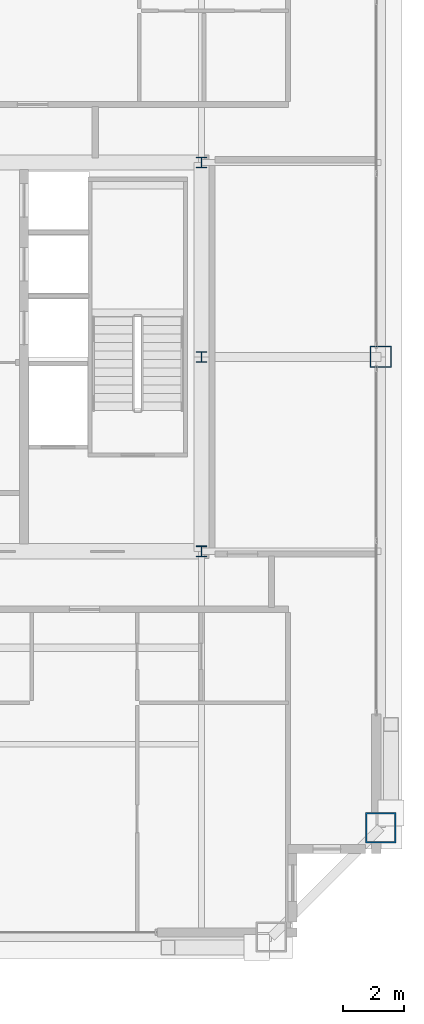
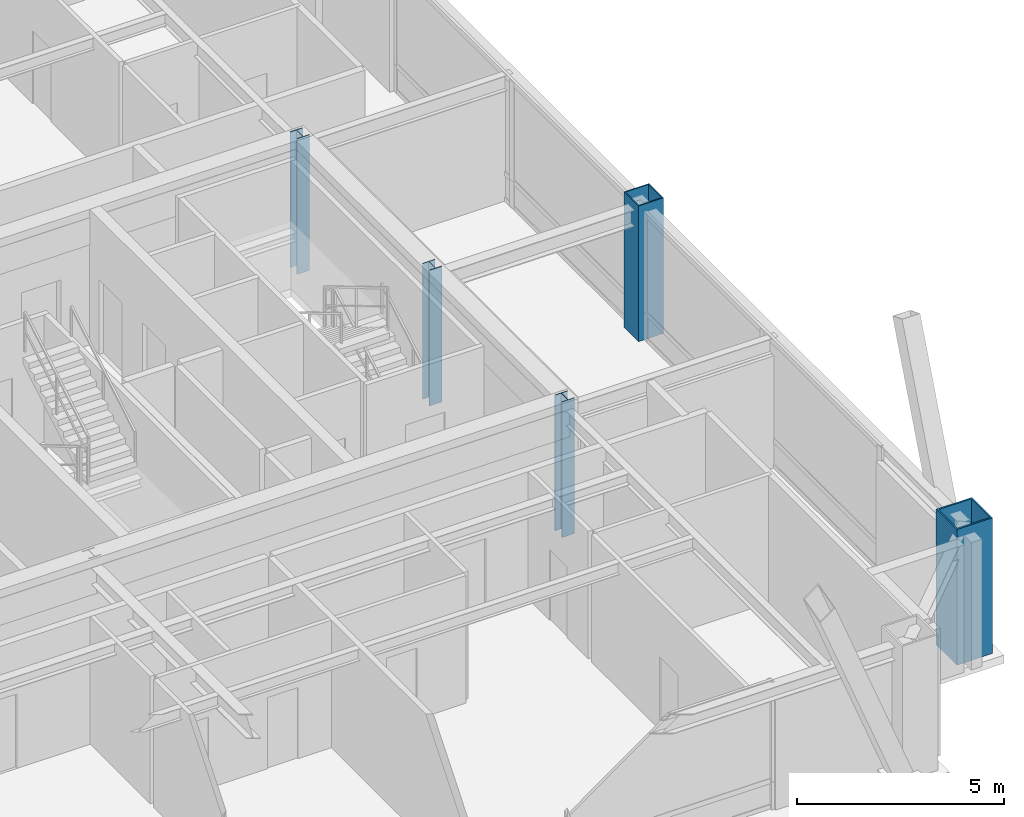
# One storey, part 2 of 35: 5 columns.
"""IFC4 building model written with IfcOpenShell, lengths in metres."""

from ifc_helpers import new_model, si_unit, direction, frame, origin, origin_2d, place, context, subcontext, project, spatial, hollow_rectangle, i_section, extrude, source, transform, mapped, material, material_profile, profile_set, type_object, element, save


model = new_model("IFC4")

# Units and contexts
model_context = context("Model", 3, precision=1e-05, world=origin(), true_north=direction((0.0, 1.0)))
body_context = subcontext(model_context, "Body", "Model", "MODEL_VIEW")
ifc_project = project(units=[si_unit("LENGTHUNIT", "METRE"), si_unit("AREAUNIT", "SQUARE_METRE"), si_unit("VOLUMEUNIT", "CUBIC_METRE"), si_unit("PLANEANGLEUNIT", "RADIAN"), si_unit("MASSUNIT", "GRAM", prefix="KILO"), si_unit("THERMODYNAMICTEMPERATUREUNIT", "KELVIN"), si_unit("POWERUNIT", "WATT")], contexts=[model_context])

# Site, building, storey
site_placement = place(None, origin())
site = spatial("IfcSite", under=ifc_project, at=site_placement, CompositionType="ELEMENT")
building_placement = place(site_placement, origin())
building = spatial("IfcBuilding", under=site, at=building_placement, Name="Yuzanri Waterfront Tower", CompositionType="ELEMENT")
storey_placement = place(building_placement, frame((0.0, 0.0, 343.199951171875)))
storey = spatial("IfcBuildingStorey", under=building, at=storey_placement, Name="L92", CompositionType="ELEMENT", Elevation=343.199951171875)

# Columns
ifc_material_1 = material(Name="Steel Q355B", Category="steel")
ifc_material_profile_1 = material_profile(ifc_material_1, i_section(OverallWidth=0.35009765625, OverallDepth=0.35009765625, WebThickness=0.011962890625, FlangeThickness=0.01904296875, at=origin_2d()), Name="HW 350x350x12x19")
ifc_profile_set_1 = profile_set([ifc_material_profile_1], Name="Steel Q355B")
column_type_1 = type_object("IfcColumnType", Name="Core Post Q355B HW 350x350x12x19", PredefinedType="COLUMN", material=ifc_profile_set_1)
shared_shape_1 = source(origin(), body_context, "Body", "SweptSolid", [
    extrude(i_section(OverallWidth=0.35009765625, OverallDepth=0.35009765625, WebThickness=0.011962890625, FlangeThickness=0.01904296875, at=origin_2d()), origin(), (0.0, 0.0, 1.0), 4.0),
])
for number, where, z_axis, x_axis, name in (
    (1, (50.199951171875, 19.39990234375, 0.0), (0.0, 0.0, 1.0), (1.0, 0.0, 0.0), "L92 Core Boundary Column CP3"),
    (2, (50.199951171875, 25.800048828125, 0.0), (0.0, 0.0, 1.0), (1.0, 0.0, 0.0), "L92 Core Boundary Column CP5"),
    (3, (50.199951171875, 32.199951171875, 0.0), (0.0, 0.0, 1.0), (1.0, 0.0, 0.0), "L92 Core Boundary Column CP8"),
):
    element("IfcColumn", number, at=place(storey_placement, frame(where, z_axis=z_axis, x_axis=x_axis)), inside=storey, type_object=column_type_1, Name=name, PredefinedType="COLUMN", context=body_context, shape_type="MappedRepresentation", body=[
        mapped(shared_shape_1, transform((0.0, 0.0, 0.0), scale=1.0)),
    ])
ifc_material_2 = material(Name="Steel Q390GJC", Category="steel")
ifc_material_profile_2 = material_profile(ifc_material_2, hollow_rectangle(XDim=1.0, YDim=1.0, WallThickness=0.048095703125, at=origin_2d()), Name="RHS 1000x1000x48")
ifc_profile_set_2 = profile_set([ifc_material_profile_2], Name="Steel Q390GJC")
column_type_2 = type_object("IfcColumnType", Name="Mega Column Q390GJC RHS 1000x1000x48", PredefinedType="COLUMN", material=ifc_profile_set_2)
shared_shape_2 = source(origin(), body_context, "Body", "SweptSolid", [
    extrude(hollow_rectangle(XDim=1.0, YDim=1.0, WallThickness=0.048095703125, at=origin_2d()), origin(), (0.0, 0.0, 1.0), 4.0),
])
column_1_placement = place(storey_placement, frame((56.10009765625, 10.300048828125, 0.0), z_axis=(0.0, 0.0, 1.0), x_axis=(1.0, 0.0, 0.0)))
element("IfcColumn", 4, at=column_1_placement, inside=storey, type_object=column_type_2, Name="L92 Perimeter Mega Column E1", PredefinedType="COLUMN", context=body_context, shape_type="MappedRepresentation", body=[
    mapped(shared_shape_2, transform((0.0, 0.0, 0.0), scale=1.0)),
])
ifc_material_3 = material(Name="Steel Q355B", Category="steel")
ifc_material_profile_3 = material_profile(ifc_material_3, hollow_rectangle(XDim=0.699951171875, YDim=0.699951171875, WallThickness=0.031982421875, at=origin_2d()), Name="RHS 700x700x32")
ifc_profile_set_3 = profile_set([ifc_material_profile_3], Name="Steel Q355B")
column_type_3 = type_object("IfcColumnType", Name="Frame Column Q355B RHS 700x700x32", PredefinedType="COLUMN", material=ifc_profile_set_3)
shared_shape_3 = source(origin(), body_context, "Body", "SweptSolid", [
    extrude(hollow_rectangle(XDim=0.699951171875, YDim=0.699951171875, WallThickness=0.031982421875, at=origin_2d()), origin(), (0.0, 0.0, 1.0), 4.0),
])
column_2_placement = place(storey_placement, frame((56.10009765625, 25.800048828125, 0.0), z_axis=(0.0, 0.0, 1.0), x_axis=(1.0, 0.0, 0.0)))
element("IfcColumn", 5, at=column_2_placement, inside=storey, type_object=column_type_3, Name="L92 Perimeter Frame Column E2", PredefinedType="COLUMN", context=body_context, shape_type="MappedRepresentation", body=[
    mapped(shared_shape_3, transform((0.0, 0.0, 0.0), scale=1.0)),
])

save(model, "model.ifc")
